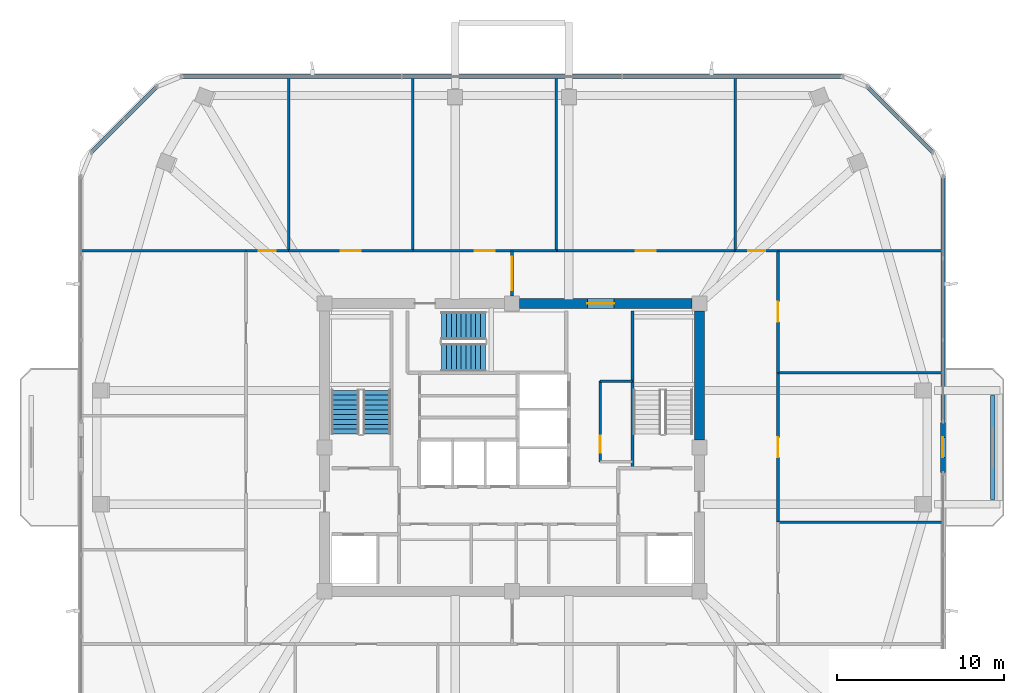
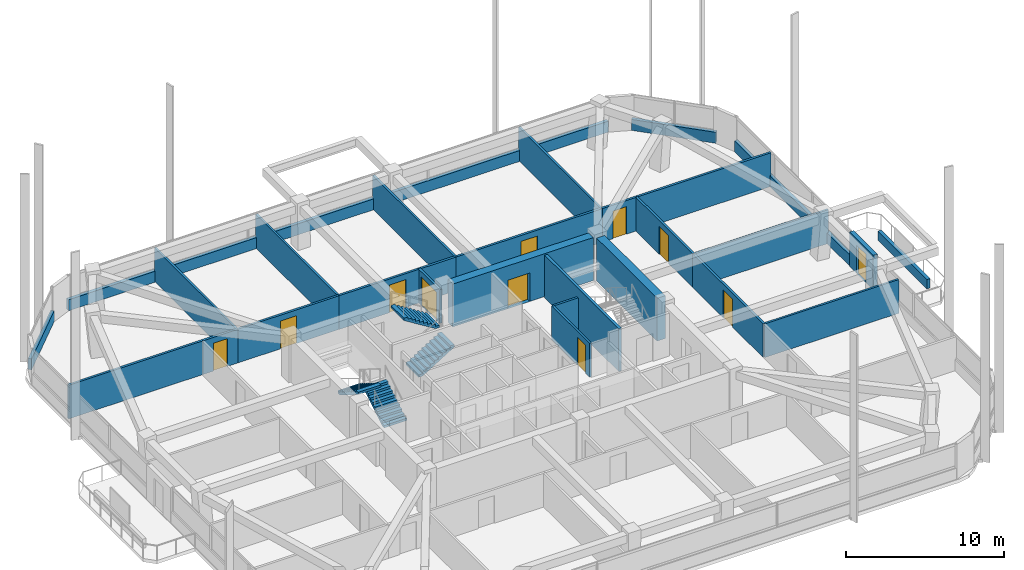
# One storey, part 12 of 17: 27 walls, 11 doors, 4 stair flights, 11 openings, 2 elements without a shape of their own.
"""IFC4 building model written with IfcOpenShell, lengths in metres."""

from ifc_helpers import new_model, si_unit, derived_unit, direction, frame, frame_2d, origin, place, context, subcontext, project, spatial, polyline, rectangle, outline, extrude, material, layer, layer_set, type_object, element, fill, aggregate, save


model = new_model("IFC4")

# Units and contexts
model_context = context("Model", 3, precision=1e-05, world=origin(), true_north=direction((0.0, 1.0)))
body_context = subcontext(model_context, "Body", "Model", "MODEL_VIEW")
ifc_project = project(units=[si_unit("LENGTHUNIT", "METRE"), si_unit("AREAUNIT", "SQUARE_METRE"), si_unit("VOLUMEUNIT", "CUBIC_METRE"), si_unit("PLANEANGLEUNIT", "RADIAN"), si_unit("MASSUNIT", "GRAM", prefix="KILO"), derived_unit("THERMALTRANSMITTANCEUNIT", [(si_unit("POWERUNIT", "WATT"), 1), (si_unit("LENGTHUNIT", "METRE"), -2), (si_unit("THERMODYNAMICTEMPERATUREUNIT", "KELVIN"), -1)])], contexts=[model_context])

# Site, building, storey
site_placement = place(None, origin())
site = spatial("IfcSite", under=ifc_project, at=site_placement, CompositionType="ELEMENT")
building_placement = place(site_placement, origin())
building = spatial("IfcBuilding", under=site, at=building_placement, Name="Koralith Skygarden Medical Center", CompositionType="ELEMENT")
storey_placement = place(building_placement, frame((0.0, 0.0, 207.179931640625)))
storey = spatial("IfcBuildingStorey", under=building, at=storey_placement, Name="L53", CompositionType="ELEMENT", Elevation=207.179931640625)

# Wall, opening, door
ifc_material_1 = material(Name="Gypsum Board Partition")
ifc_layer_1 = layer(ifc_material_1, 0.14990234375)
ifc_layer_set_1 = layer_set([ifc_layer_1], Name="Gypsum Board Partition")
wall_type_1 = type_object("IfcWallType", Name="Clinical Acoustic Partition 150", PredefinedType="PARTITIONING", material=ifc_layer_set_1)
wall_1_placement = place(storey_placement, frame((42.27001953125, 25.0400390625, 0.0), z_axis=(0.0, 0.0, 1.0), x_axis=(0.0, 1.0, 0.0)))
wall_1 = element("IfcWall", 1, at=wall_1_placement, inside=storey, type_object=wall_type_1, Name="L53 Clinical Acoustic Partition 150 W-CORE-L53-ESUB-W", PredefinedType="PARTITIONING", context=body_context, shape_type="SweptSolid", body=[
    extrude(rectangle(XDim=4.820068359375, YDim=0.14990234375, at=frame_2d((2.41015625, 0.0))), origin(), (0.0, 0.0, 1.0), 2.610107421875),
])
opening_1_placement = place(wall_1_placement, frame((0.550048828125, 0.0, 0.0)))
opening_1 = element("IfcOpeningElement", 2, at=opening_1_placement, cuts=wall_1, Name="Opening D-SUP", PredefinedType="OPENING", context=body_context, shape_type="SweptSolid", body=[
    extrude(rectangle(XDim=1.0, YDim=2.14990234375, at=frame_2d((0.5, 1.074951171875))), frame((0.0, 0.0849609375, 0.0), z_axis=(0.0, -1.0, 0.0), x_axis=(1.0, 0.0, 0.0)), (0.0, 0.0, 1.0), 0.169921875),
])
ifc_material_2 = material(Name="Aluminium 6063-T6", Category="aluminium")
door_type_1 = type_object("IfcDoorType", Name="Clinical Support Door D-SUP 1000", OperationType="NOTDEFINED", PredefinedType="DOOR", material=ifc_material_2)
door_1_placement = place(opening_1_placement, origin())
door_1 = element("IfcDoor", 3, at=door_1_placement, inside=storey, type_object=door_type_1, Name="L53 Core Equipment Store Door", OperationType="SINGLE_SWING_LEFT", OverallHeight=2.14990234375, OverallWidth=1.0, PredefinedType="DOOR", context=body_context, shape_type="SweptSolid", body=[
    extrude(rectangle(XDim=1.0, YDim=2.14990234375, at=frame_2d((0.5, 1.074951171875))), frame((0.0, 0.02490234375, 0.0), z_axis=(0.0, -1.0, 0.0), x_axis=(1.0, 0.0, 0.0)), (0.0, 0.0, 1.0), 0.050048828125),
])
fill(opening_1, door_1)

# Walls
wall_2_placement = place(storey_placement, frame((42.27001953125, 29.860107421875, 0.0), z_axis=(0.0, 0.0, 1.0), x_axis=(1.0, 0.0, 0.0)))
element("IfcWall", 4, at=wall_2_placement, inside=storey, type_object=wall_type_1, Name="L53 Clinical Acoustic Partition 150 W-CORE-L53-ESUB-N", PredefinedType="PARTITIONING", context=body_context, shape_type="SweptSolid", body=[
    extrude(rectangle(XDim=1.929931640625, YDim=0.14990234375, at=frame_2d((0.96484375, 0.0))), origin(), (0.0, 0.0, 1.0), 2.610107421875),
])
for number, where, z_axis, x_axis, name in (
    (5, (23.64990234375, 37.64990234375, 0.0), (0.0, 0.0, 1.0), (0.0, 1.0, 0.0), "L53 Clinical Acoustic Partition 150 W-PART-L53-N-01"),
    (6, (31.069091796875, 37.64990234375, 0.0), (0.0, 0.0, 1.0), (0.0, 1.0, 0.0), "L53 Clinical Acoustic Partition 150 W-PART-L53-N-02"),
    (7, (39.64892578125, 37.64990234375, 0.0), (0.0, 0.0, 1.0), (0.0, 1.0, 0.0), "L53 Clinical Acoustic Partition 150 W-PART-L53-N-03"),
    (8, (50.35009765625, 37.64990234375, 0.0), (0.0, 0.0, 1.0), (0.0, 1.0, 0.0), "L53 Clinical Acoustic Partition 150 W-PART-L53-N-04"),
):
    element("IfcWall", number, at=place(storey_placement, frame(where, z_axis=z_axis, x_axis=x_axis)), inside=storey, type_object=wall_type_1, Name=name, PredefinedType="PARTITIONING", context=body_context, shape_type="SweptSolid", body=[
        extrude(rectangle(XDim=10.38720703125, YDim=0.14990234375, at=frame_2d((5.193603515625, 0.0))), origin(), (0.0, 0.0, 1.0), 2.610107421875),
    ])
for number, where, z_axis, x_axis, name in (
    (9, (52.89990234375, 21.43505859375, 0.0), (0.0, 0.0, 1.0), (1.0, 0.0, 0.0), "L53 Clinical Acoustic Partition 150 W-PART-L53-E-01"),
    (10, (52.89990234375, 30.364990234375, 0.0), (0.0, 0.0, 1.0), (1.0, 0.0, 0.0), "L53 Clinical Acoustic Partition 150 W-PART-L53-E-02"),
):
    element("IfcWall", number, at=place(storey_placement, frame(where, z_axis=z_axis, x_axis=x_axis)), inside=storey, type_object=wall_type_1, Name=name, PredefinedType="PARTITIONING", context=body_context, shape_type="SweptSolid", body=[
        extrude(rectangle(XDim=9.8330078125, YDim=0.14990234375, at=frame_2d((4.91650390625, 0.0))), origin(), (0.0, 0.0, 1.0), 2.610107421875),
    ])
ifc_layer_2 = layer(ifc_material_1, 0.1650390625)
ifc_layer_set_2 = layer_set([ifc_layer_2], Name="Gypsum Board Partition")
wall_type_2 = type_object("IfcWallType", Name="Clinical Corridor Partition 165", PredefinedType="PARTITIONING", material=ifc_layer_set_2)
for number, where, z_axis, x_axis, name in (
    (11, (11.26708984375, 37.64990234375, 0.0), (0.0, 0.0, 1.0), (1.0, 0.0, 0.0), "L53 Clinical Corridor Partition 165 W-WB-L53-NW"),
    (12, (52.89990234375, 37.64990234375, 0.0), (0.0, 0.0, 1.0), (1.0, 0.0, 0.0), "L53 Clinical Corridor Partition 165 W-WB-L53-NE"),
):
    element("IfcWall", number, at=place(storey_placement, frame(where, z_axis=z_axis, x_axis=x_axis)), inside=storey, type_object=wall_type_2, Name=name, PredefinedType="PARTITIONING", context=body_context, shape_type="SweptSolid", body=[
        extrude(rectangle(XDim=9.8330078125, YDim=0.1650390625, at=frame_2d((4.91650390625, 0.0))), origin(), (0.0, 0.0, 1.0), 2.610107421875),
    ])

# Wall, opening, door
wall_3_placement = place(storey_placement, frame((21.10009765625, 37.64990234375, 0.0), z_axis=(0.0, 0.0, 1.0), x_axis=(1.0, 0.0, 0.0)))
wall_3 = element("IfcWall", 13, at=wall_3_placement, inside=storey, type_object=wall_type_2, Name="L53 Clinical Corridor Partition 165 W-CORR-L53-N-01", PredefinedType="PARTITIONING", context=body_context, shape_type="SweptSolid", body=[
    extrude(rectangle(XDim=2.5498046875, YDim=0.1650390625, at=frame_2d((1.27490234375, 0.0))), origin(), (0.0, 0.0, 1.0), 2.610107421875),
])
opening_2_placement = place(wall_3_placement, frame((0.77490234375, 0.0, 0.0)))
opening_2 = element("IfcOpeningElement", 14, at=opening_2_placement, cuts=wall_3, Name="Opening D-SUP", PredefinedType="OPENING", context=body_context, shape_type="SweptSolid", body=[
    extrude(rectangle(XDim=1.0, YDim=2.14990234375, at=frame_2d((0.5, 1.074951171875))), frame((0.0, 0.092529296875, 0.0), z_axis=(0.0, -1.0, 0.0), x_axis=(1.0, 0.0, 0.0)), (0.0, 0.0, 1.0), 0.18505859375),
])
door_2_placement = place(opening_2_placement, origin())
door_2 = element("IfcDoor", 15, at=door_2_placement, inside=storey, type_object=door_type_1, Name="L53 Pharmacy Bulk IV Supply Store 01 Door", OperationType="SINGLE_SWING_RIGHT", OverallHeight=2.14990234375, OverallWidth=1.0, PredefinedType="DOOR", context=body_context, shape_type="SweptSolid", body=[
    extrude(rectangle(XDim=1.0, YDim=2.14990234375, at=frame_2d((0.5, 1.074951171875))), frame((0.0, 0.02490234375, 0.0), z_axis=(0.0, -1.0, 0.0), x_axis=(1.0, 0.0, 0.0)), (0.0, 0.0, 1.0), 0.050048828125),
])
fill(opening_2, door_2)

wall_4_placement = place(storey_placement, frame((23.64990234375, 37.64990234375, 0.0), z_axis=(0.0, 0.0, 1.0), x_axis=(1.0, 0.0, 0.0)))
wall_4 = element("IfcWall", 16, at=wall_4_placement, inside=storey, type_object=wall_type_2, Name="L53 Clinical Corridor Partition 165 W-CORR-L53-N-02", PredefinedType="PARTITIONING", context=body_context, shape_type="SweptSolid", body=[
    extrude(rectangle(XDim=7.419189453125, YDim=0.1650390625, at=frame_2d((3.70947265625, 0.0))), origin(), (0.0, 0.0, 1.0), 2.610107421875),
])
opening_3_placement = place(wall_4_placement, frame((3.110107421875, 0.0, 0.0)))
opening_3 = element("IfcOpeningElement", 17, at=opening_3_placement, cuts=wall_4, Name="Opening D-CLN", PredefinedType="OPENING", context=body_context, shape_type="SweptSolid", body=[
    extrude(rectangle(XDim=1.199951171875, YDim=2.14990234375, at=frame_2d((0.60009765625, 1.074951171875))), frame((0.0, 0.092529296875, 0.0), z_axis=(0.0, -1.0, 0.0), x_axis=(1.0, 0.0, 0.0)), (0.0, 0.0, 1.0), 0.18505859375),
])
door_type_2 = type_object("IfcDoorType", Name="Clinical Corridor Door D-CLN 1200", OperationType="NOTDEFINED", PredefinedType="DOOR", material=ifc_material_2)
door_3_placement = place(opening_3_placement, origin())
door_3 = element("IfcDoor", 18, at=door_3_placement, inside=storey, type_object=door_type_2, Name="L53 Sterile Catheter Supply Store 02 Door", OperationType="SINGLE_SWING_LEFT", OverallHeight=2.14990234375, OverallWidth=1.199951171875, PredefinedType="DOOR", context=body_context, shape_type="SweptSolid", body=[
    extrude(rectangle(XDim=1.199951171875, YDim=2.14990234375, at=frame_2d((0.60009765625, 1.074951171875))), frame((0.0, 0.02490234375, 0.0), z_axis=(0.0, -1.0, 0.0), x_axis=(1.0, 0.0, 0.0)), (0.0, 0.0, 1.0), 0.050048828125),
])
fill(opening_3, door_3)

wall_5_placement = place(storey_placement, frame((31.069091796875, 37.64990234375, 0.0), z_axis=(0.0, 0.0, 1.0), x_axis=(1.0, 0.0, 0.0)))
wall_5 = element("IfcWall", 19, at=wall_5_placement, inside=storey, type_object=wall_type_2, Name="L53 Clinical Corridor Partition 165 W-CORR-L53-N-03", PredefinedType="PARTITIONING", context=body_context, shape_type="SweptSolid", body=[
    extrude(rectangle(XDim=8.579833984375, YDim=0.1650390625, at=frame_2d((4.2900390625, 0.0))), origin(), (0.0, 0.0, 1.0), 2.610107421875),
])
opening_4_placement = place(wall_5_placement, frame((3.68994140625, 0.0, 0.0)))
opening_4 = element("IfcOpeningElement", 20, at=opening_4_placement, cuts=wall_5, Name="Opening D-CLN", PredefinedType="OPENING", context=body_context, shape_type="SweptSolid", body=[
    extrude(rectangle(XDim=1.199951171875, YDim=2.14990234375, at=frame_2d((0.60009765625, 1.074951171875))), frame((0.0, 0.092529296875, 0.0), z_axis=(0.0, -1.0, 0.0), x_axis=(1.0, 0.0, 0.0)), (0.0, 0.0, 1.0), 0.18505859375),
])
door_4_placement = place(opening_4_placement, origin())
door_4 = element("IfcDoor", 21, at=door_4_placement, inside=storey, type_object=door_type_2, Name="L53 Clinical Trials Huddle Room 03 Door", OperationType="SINGLE_SWING_RIGHT", OverallHeight=2.14990234375, OverallWidth=1.199951171875, PredefinedType="DOOR", context=body_context, shape_type="SweptSolid", body=[
    extrude(rectangle(XDim=1.199951171875, YDim=2.14990234375, at=frame_2d((0.60009765625, 1.074951171875))), frame((0.0, 0.02490234375, 0.0), z_axis=(0.0, -1.0, 0.0), x_axis=(1.0, 0.0, 0.0)), (0.0, 0.0, 1.0), 0.050048828125),
])
fill(opening_4, door_4)

wall_6_placement = place(storey_placement, frame((39.64892578125, 37.64990234375, 0.0), z_axis=(0.0, 0.0, 1.0), x_axis=(1.0, 0.0, 0.0)))
wall_6 = element("IfcWall", 22, at=wall_6_placement, inside=storey, type_object=wall_type_2, Name="L53 Clinical Corridor Partition 165 W-CORR-L53-N-04", PredefinedType="PARTITIONING", context=body_context, shape_type="SweptSolid", body=[
    extrude(rectangle(XDim=10.701171875, YDim=0.1650390625, at=frame_2d((5.3505859375, 0.0))), origin(), (0.0, 0.0, 1.0), 2.610107421875),
])
opening_5_placement = place(wall_6_placement, frame((4.7509765625, 0.0, 0.0)))
opening_5 = element("IfcOpeningElement", 23, at=opening_5_placement, cuts=wall_6, Name="Opening D-CLN", PredefinedType="OPENING", context=body_context, shape_type="SweptSolid", body=[
    extrude(rectangle(XDim=1.199951171875, YDim=2.14990234375, at=frame_2d((0.60009765625, 1.074951171875))), frame((0.0, 0.092529296875, 0.0), z_axis=(0.0, -1.0, 0.0), x_axis=(1.0, 0.0, 0.0)), (0.0, 0.0, 1.0), 0.18505859375),
])
door_5_placement = place(opening_5_placement, origin())
door_5 = element("IfcDoor", 24, at=door_5_placement, inside=storey, type_object=door_type_2, Name="L53 Clinical Consultation Office 04 Door", OperationType="SINGLE_SWING_LEFT", OverallHeight=2.14990234375, OverallWidth=1.199951171875, PredefinedType="DOOR", context=body_context, shape_type="SweptSolid", body=[
    extrude(rectangle(XDim=1.199951171875, YDim=2.14990234375, at=frame_2d((0.60009765625, 1.074951171875))), frame((0.0, 0.02490234375, 0.0), z_axis=(0.0, -1.0, 0.0), x_axis=(1.0, 0.0, 0.0)), (0.0, 0.0, 1.0), 0.050048828125),
])
fill(opening_5, door_5)

wall_7_placement = place(storey_placement, frame((50.35009765625, 37.64990234375, 0.0), z_axis=(0.0, 0.0, 1.0), x_axis=(1.0, 0.0, 0.0)))
wall_7 = element("IfcWall", 25, at=wall_7_placement, inside=storey, type_object=wall_type_2, Name="L53 Clinical Corridor Partition 165 W-CORR-L53-N-05", PredefinedType="PARTITIONING", context=body_context, shape_type="SweptSolid", body=[
    extrude(rectangle(XDim=2.5498046875, YDim=0.1650390625, at=frame_2d((1.27490234375, 0.0))), origin(), (0.0, 0.0, 1.0), 2.610107421875),
])
opening_6_placement = place(wall_7_placement, frame((0.77490234375, 0.0, 0.0)))
opening_6 = element("IfcOpeningElement", 26, at=opening_6_placement, cuts=wall_7, Name="Opening D-SUP", PredefinedType="OPENING", context=body_context, shape_type="SweptSolid", body=[
    extrude(rectangle(XDim=1.0, YDim=2.14990234375, at=frame_2d((0.5, 1.074951171875))), frame((0.0, 0.092529296875, 0.0), z_axis=(0.0, -1.0, 0.0), x_axis=(1.0, 0.0, 0.0)), (0.0, 0.0, 1.0), 0.18505859375),
])
door_6_placement = place(opening_6_placement, origin())
door_6 = element("IfcDoor", 27, at=door_6_placement, inside=storey, type_object=door_type_1, Name="L53 Pharmacy Bulk IV Supply Store 05 Door", OperationType="SINGLE_SWING_RIGHT", OverallHeight=2.14990234375, OverallWidth=1.0, PredefinedType="DOOR", context=body_context, shape_type="SweptSolid", body=[
    extrude(rectangle(XDim=1.0, YDim=2.14990234375, at=frame_2d((0.5, 1.074951171875))), frame((0.0, 0.02490234375, 0.0), z_axis=(0.0, -1.0, 0.0), x_axis=(1.0, 0.0, 0.0)), (0.0, 0.0, 1.0), 0.050048828125),
])
fill(opening_6, door_6)

wall_8_placement = place(storey_placement, frame((52.89990234375, 21.43505859375, 0.0), z_axis=(0.0, 0.0, 1.0), x_axis=(0.0, 1.0, 0.0)))
wall_8 = element("IfcWall", 28, at=wall_8_placement, inside=storey, type_object=wall_type_2, Name="L53 Clinical Corridor Partition 165 W-CORR-L53-E-02", PredefinedType="PARTITIONING", context=body_context, shape_type="SweptSolid", body=[
    extrude(rectangle(XDim=8.929931640625, YDim=0.1650390625, at=frame_2d((4.46484375, 0.0))), origin(), (0.0, 0.0, 1.0), 2.610107421875),
])
opening_7_placement = place(wall_8_placement, frame((3.864990234375, 0.0, 0.0)))
opening_7 = element("IfcOpeningElement", 29, at=opening_7_placement, cuts=wall_8, Name="Opening D-CLN", PredefinedType="OPENING", context=body_context, shape_type="SweptSolid", body=[
    extrude(rectangle(XDim=1.199951171875, YDim=2.14990234375, at=frame_2d((0.60009765625, 1.074951171875))), frame((0.0, 0.092529296875, 0.0), z_axis=(0.0, -1.0, 0.0), x_axis=(1.0, 0.0, 0.0)), (0.0, 0.0, 1.0), 0.18505859375),
])
door_7_placement = place(opening_7_placement, origin())
door_7 = element("IfcDoor", 30, at=door_7_placement, inside=storey, type_object=door_type_2, Name="L53 Patient and Family Sky-Garden Day Lounge 15 Door", OperationType="SINGLE_SWING_RIGHT", OverallHeight=2.14990234375, OverallWidth=1.199951171875, PredefinedType="DOOR", context=body_context, shape_type="SweptSolid", body=[
    extrude(rectangle(XDim=1.199951171875, YDim=2.14990234375, at=frame_2d((0.60009765625, 1.074951171875))), frame((0.0, 0.02490234375, 0.0), z_axis=(0.0, -1.0, 0.0), x_axis=(1.0, 0.0, 0.0)), (0.0, 0.0, 1.0), 0.050048828125),
])
fill(opening_7, door_7)

wall_9_placement = place(storey_placement, frame((52.89990234375, 30.364990234375, 0.0), z_axis=(0.0, 0.0, 1.0), x_axis=(0.0, 1.0, 0.0)))
wall_9 = element("IfcWall", 31, at=wall_9_placement, inside=storey, type_object=wall_type_2, Name="L53 Clinical Corridor Partition 165 W-CORR-L53-E-03", PredefinedType="PARTITIONING", context=body_context, shape_type="SweptSolid", body=[
    extrude(rectangle(XDim=7.284912109375, YDim=0.1650390625, at=frame_2d((3.642578125, 0.0))), origin(), (0.0, 0.0, 1.0), 2.610107421875),
])
opening_8_placement = place(wall_9_placement, frame((3.0419921875, 0.0, 0.0)))
opening_8 = element("IfcOpeningElement", 32, at=opening_8_placement, cuts=wall_9, Name="Opening D-CLN", PredefinedType="OPENING", context=body_context, shape_type="SweptSolid", body=[
    extrude(rectangle(XDim=1.199951171875, YDim=2.14990234375, at=frame_2d((0.60009765625, 1.074951171875))), frame((0.0, 0.092529296875, 0.0), z_axis=(0.0, -1.0, 0.0), x_axis=(1.0, 0.0, 0.0)), (0.0, 0.0, 1.0), 0.18505859375),
])
door_8_placement = place(opening_8_placement, origin())
door_8 = element("IfcDoor", 33, at=door_8_placement, inside=storey, type_object=door_type_2, Name="L53 Sterile Catheter Supply Store 16 Door", OperationType="SINGLE_SWING_LEFT", OverallHeight=2.14990234375, OverallWidth=1.199951171875, PredefinedType="DOOR", context=body_context, shape_type="SweptSolid", body=[
    extrude(rectangle(XDim=1.199951171875, YDim=2.14990234375, at=frame_2d((0.60009765625, 1.074951171875))), frame((0.0, 0.02490234375, 0.0), z_axis=(0.0, -1.0, 0.0), x_axis=(1.0, 0.0, 0.0)), (0.0, 0.0, 1.0), 0.050048828125),
])
fill(opening_8, door_8)

ifc_layer_3 = layer(ifc_material_1, 0.179931640625)
ifc_layer_set_3 = layer_set([ifc_layer_3], Name="Gypsum Board Partition")
wall_type_3 = type_object("IfcWallType", Name="Group I-2 Smoke Barrier Wall 180", PredefinedType="PARTITIONING", material=ifc_layer_set_3)
wall_10_placement = place(storey_placement, frame((37.0, 34.949951171875, 0.0), z_axis=(0.0, 0.0, 1.0), x_axis=(0.0, 1.0, 0.0)))
wall_10 = element("IfcWall", 34, at=wall_10_placement, inside=storey, type_object=wall_type_3, Name="L53 Group I-2 Smoke Barrier Wall 180 W-SMK-L53-N", PredefinedType="PARTITIONING", context=body_context, shape_type="SweptSolid", body=[
    extrude(rectangle(XDim=2.699951171875, YDim=0.179931640625, at=frame_2d((1.35009765625, 0.0))), origin(), (0.0, 0.0, 1.0), 2.610107421875),
])
opening_9_placement = place(wall_10_placement, frame((0.35009765625, 0.0, 0.0)))
opening_9 = element("IfcOpeningElement", 35, at=opening_9_placement, cuts=wall_10, Name="Opening D-SMK", PredefinedType="OPENING", context=body_context, shape_type="SweptSolid", body=[
    extrude(rectangle(XDim=2.0, YDim=2.199951171875, at=frame_2d((1.0, 1.10009765625))), frame((0.0, 0.099853515625, 0.0), z_axis=(0.0, -1.0, 0.0), x_axis=(1.0, 0.0, 0.0)), (0.0, 0.0, 1.0), 0.199951171875),
])
ifc_material_3 = material(Name="Steel ASTM A500 Grade C", Category="steel")
door_type_3 = type_object("IfcDoorType", Name="Cross-Corridor Double Smoke Door FD60S 2000", OperationType="NOTDEFINED", PredefinedType="DOOR", material=ifc_material_3)
door_9_placement = place(opening_9_placement, origin())
door_9 = element("IfcDoor", 36, at=door_9_placement, inside=storey, type_object=door_type_3, Name="L53 N Smoke Compartment Cross-Corridor Door", OperationType="DOUBLE_DOOR_SINGLE_SWING", OverallHeight=2.199951171875, OverallWidth=2.0, PredefinedType="DOOR", context=body_context, shape_type="SweptSolid", body=[
    extrude(rectangle(XDim=2.0, YDim=2.199951171875, at=frame_2d((1.0, 1.10009765625))), frame((0.0, 0.02490234375, 0.0), z_axis=(0.0, -1.0, 0.0), x_axis=(1.0, 0.0, 0.0)), (0.0, 0.0, 1.0), 0.050048828125),
])
fill(opening_9, door_9)

# Walls
ifc_material_4 = material(Name="Warm Oolitic Limestone Cladding", Category="masonry")
ifc_layer_4 = layer(ifc_material_4, 0.239990234375)
ifc_layer_set_4 = layer_set([ifc_layer_4], Name="Warm Oolitic Limestone Cladding")
wall_type_4 = type_object("IfcWallType", Name="Limestone Spandrel Sill Backup Wall 240", PredefinedType="SOLIDWALL", material=ifc_layer_set_4)
wall_11_placement = place(storey_placement, frame((62.751953125, 27.43896484375, 0.0), z_axis=(0.0, 0.0, 1.0), x_axis=(0.0, 1.0, 0.0)))
element("IfcWall", 37, at=wall_11_placement, inside=storey, type_object=wall_type_4, Name="L53 Sill Spandrel E-R", PredefinedType="SOLIDWALL", context=body_context, shape_type="SweptSolid", body=[
    extrude(rectangle(XDim=14.64306640625, YDim=0.239990234375, at=frame_2d((7.321533203125, 0.0))), origin(), (0.0, 0.0, 1.0), 0.85009765625),
])
wall_12_placement = place(storey_placement, frame((62.15087890625, 43.532958984375, 0.0), z_axis=(0.0, 0.0, 1.0), x_axis=(-0.707084777957, 0.707128783731, 0.0)))
element("IfcWall", 38, at=wall_12_placement, inside=storey, type_object=wall_type_4, Name="L53 Sill Spandrel NE", PredefinedType="SOLIDWALL", context=body_context, shape_type="SweptSolid", body=[
    extrude(rectangle(XDim=5.5478515625, YDim=0.239990234375, at=frame_2d((2.77392578125, 0.0))), origin(), (0.0, 0.0, 1.0), 0.85009765625),
])
wall_13_placement = place(storey_placement, frame((56.777099609375, 48.056884765625, 0.0), z_axis=(0.0, 0.0, 1.0), x_axis=(-1.0, 0.0, 0.0)))
element("IfcWall", 39, at=wall_13_placement, inside=storey, type_object=wall_type_4, Name="L53 Sill Spandrel N", PredefinedType="SOLIDWALL", context=body_context, shape_type="SweptSolid", body=[
    extrude(rectangle(XDim=39.55419921875, YDim=0.239990234375, at=frame_2d((19.777099609375, 0.0))), origin(), (0.0, 0.0, 1.0), 0.85009765625),
])
wall_14_placement = place(storey_placement, frame((15.77197265625, 47.4560546875, 0.0), z_axis=(0.0, 0.0, 1.0), x_axis=(-0.707084777957, -0.707128783731, 0.0)))
element("IfcWall", 40, at=wall_14_placement, inside=storey, type_object=wall_type_4, Name="L53 Sill Spandrel NW", PredefinedType="SOLIDWALL", context=body_context, shape_type="SweptSolid", body=[
    extrude(rectangle(XDim=5.5478515625, YDim=0.239990234375, at=frame_2d((2.77392578125, 0.0))), origin(), (0.0, 0.0, 1.0), 0.85009765625),
])

# Wall, opening, door
ifc_layer_5 = layer(ifc_material_4, 0.300048828125)
ifc_layer_set_5 = layer_set([ifc_layer_5], Name="Warm Oolitic Limestone Cladding")
wall_type_5 = type_object("IfcWallType", Name="Oolitic Limestone Insulated Facade Wall 300", PredefinedType="SOLIDWALL", material=ifc_layer_set_5)
wall_15_placement = place(storey_placement, frame((62.751953125, 24.39892578125, 0.0), z_axis=(0.0, 0.0, 1.0), x_axis=(0.0, 1.0, 0.0)))
wall_15 = element("IfcWall", 41, at=wall_15_placement, inside=storey, type_object=wall_type_5, Name="L53 Terrace Portal Wall E", PredefinedType="SOLIDWALL", context=body_context, shape_type="SweptSolid", body=[
    extrude(rectangle(XDim=3.0, YDim=0.300048828125, at=frame_2d((1.5, 0.0))), origin(), (0.0, 0.0, 1.0), 2.690185546875),
])
opening_10_placement = place(wall_15_placement, frame((0.89990234375, 0.0, 0.0)))
opening_10 = element("IfcOpeningElement", 42, at=opening_10_placement, cuts=wall_15, Name="Opening D-BAL", PredefinedType="OPENING", context=body_context, shape_type="SweptSolid", body=[
    extrude(rectangle(XDim=1.199951171875, YDim=2.199951171875, at=frame_2d((0.60009765625, 1.10009765625))), frame((0.0, 0.159912109375, 0.0), z_axis=(0.0, -1.0, 0.0), x_axis=(1.0, 0.0, 0.0)), (0.0, 0.0, 1.0), 0.320068359375),
])
door_type_4 = type_object("IfcDoorType", Name="Planted Balcony Glazed Terrace Door D-BAL 1200", OperationType="NOTDEFINED", PredefinedType="DOOR", material=ifc_material_2)
door_10_placement = place(opening_10_placement, origin())
door_10 = element("IfcDoor", 43, at=door_10_placement, inside=storey, type_object=door_type_4, Name="L53 E Outdoor Terrace Access Door", OperationType="SINGLE_SWING_RIGHT", OverallHeight=2.199951171875, OverallWidth=1.199951171875, PredefinedType="DOOR", context=body_context, shape_type="SweptSolid", body=[
    extrude(rectangle(XDim=1.199951171875, YDim=2.199951171875, at=frame_2d((0.60009765625, 1.10009765625))), frame((0.0, 0.02490234375, 0.0), z_axis=(0.0, -1.0, 0.0), x_axis=(1.0, 0.0, 0.0)), (0.0, 0.0, 1.0), 0.050048828125),
])
fill(opening_10, door_10)

# Walls
ifc_material_5 = material(Name="Precast concrete C40/50", Category="concrete")
ifc_layer_6 = layer(ifc_material_5, 0.25)
ifc_layer_set_6 = layer_set([ifc_layer_6], Name="Precast concrete C40/50")
wall_type_6 = type_object("IfcWallType", Name="Structural Concrete Balcony Planter Kerb 250", PredefinedType="PARAPET", material=ifc_layer_set_6)
wall_16_placement = place(storey_placement, frame((65.73291015625, 22.800048828125, 0.0), z_axis=(0.0, 0.0, 1.0), x_axis=(0.0, 1.0, 0.0)))
element("IfcWall", 44, at=wall_16_placement, inside=storey, type_object=wall_type_6, Name="L53 E Structural Tree PLANTER Box", PredefinedType="PARAPET", context=body_context, shape_type="SweptSolid", body=[
    extrude(rectangle(XDim=6.199951171875, YDim=0.25, at=frame_2d((3.10009765625, 0.0))), origin(), (0.0, 0.0, 1.0), 0.719970703125),
])
ifc_material_6 = material(Name="Concrete C45/55", Category="concrete")
ifc_layer_7 = layer(ifc_material_6, 0.199951171875)
ifc_layer_set_7 = layer_set([ifc_layer_7], Name="Concrete C45/55")
wall_type_7 = type_object("IfcWallType", Name="Structural Stair Shaft Wall 200", PredefinedType="SHEAR", material=ifc_layer_set_7)
wall_17_placement = place(storey_placement, frame((44.199951171875, 24.64990234375, 0.0), z_axis=(0.0, 0.0, 1.0), x_axis=(0.0, 1.0, 0.0)))
element("IfcWall", 45, at=wall_17_placement, inside=storey, type_object=wall_type_7, Name="L53 Structural Stair Shaft Wall 200 W-CORE-L53-ST2-W", PredefinedType="SHEAR", context=body_context, shape_type="SweptSolid", body=[
    extrude(rectangle(XDim=9.400146484375, YDim=0.199951171875, at=frame_2d((4.7001953125, 0.0))), origin(), (0.0, 0.0, 1.0), 3.320068359375),
])
ifc_material_7 = material(Name="Concrete C55/67", Category="concrete")
ifc_layer_8 = layer(ifc_material_7, 0.60009765625)
ifc_layer_set_8 = layer_set([ifc_layer_8], Name="Concrete C55/67")
wall_type_8 = type_object("IfcWallType", Name="Upper Core Shear Wall 600", PredefinedType="SHEAR", material=ifc_layer_set_8)
wall_18_placement = place(storey_placement, frame((48.199951171875, 26.344970703125, 0.0), z_axis=(0.0, 0.0, 1.0), x_axis=(0.0, 1.0, 0.0)))
element("IfcWall", 46, at=wall_18_placement, inside=storey, type_object=wall_type_8, Name="L53 Core Shear Wall Segment 4", PredefinedType="SHEAR", context=body_context, shape_type="SweptSolid", body=[
    extrude(rectangle(XDim=7.7099609375, YDim=0.60009765625, at=frame_2d((3.85498046875, 0.0))), origin(), (0.0, 0.0, 1.0), 3.320068359375),
])

# Wall, opening, door
wall_19_placement = place(storey_placement, frame((47.7548828125, 34.5, 0.0), z_axis=(0.0, 0.0, 1.0), x_axis=(-1.0, 0.0, 0.0)))
wall_19 = element("IfcWall", 47, at=wall_19_placement, inside=storey, type_object=wall_type_8, Name="L53 Core Shear Wall Segment 5", PredefinedType="SHEAR", context=body_context, shape_type="SweptSolid", body=[
    extrude(rectangle(XDim=10.309814453125, YDim=0.60009765625, at=frame_2d((5.15478515625, 0.0))), origin(), (0.0, 0.0, 1.0), 3.320068359375),
])
opening_11_placement = place(wall_19_placement, frame((4.655029296875, 0.0, 0.0)))
opening_11 = element("IfcOpeningElement", 48, at=opening_11_placement, cuts=wall_19, Name="Opening D-DBL", PredefinedType="OPENING", context=body_context, shape_type="SweptSolid", body=[
    extrude(rectangle(XDim=1.60009765625, YDim=2.199951171875, at=frame_2d((0.800048828125, 1.10009765625))), frame((0.0, 0.31005859375, 0.0), z_axis=(0.0, -1.0, 0.0), x_axis=(1.0, 0.0, 0.0)), (0.0, 0.0, 1.0), 0.6201171875),
])
door_type_5 = type_object("IfcDoorType", Name="Double Clinical Suite Door D-DBL 1600", OperationType="NOTDEFINED", PredefinedType="DOOR", material=ifc_material_2)
door_11_placement = place(opening_11_placement, frame((1.60009765625, 0.0, 0.0), z_axis=(0.0, 0.0, 1.0), x_axis=(-1.0, 0.0, 0.0)))
door_11 = element("IfcDoor", 49, at=door_11_placement, inside=storey, type_object=door_type_5, Name="L53 North-East Corridor to Elevator Lobby Door", OperationType="DOUBLE_DOOR_SINGLE_SWING", OverallHeight=2.199951171875, OverallWidth=1.60009765625, PredefinedType="DOOR", context=body_context, shape_type="SweptSolid", body=[
    extrude(rectangle(XDim=1.60009765625, YDim=2.199951171875, at=frame_2d((0.800048828125, 1.10009765625))), frame((0.0, 0.02490234375, 0.0), z_axis=(0.0, -1.0, 0.0), x_axis=(1.0, 0.0, 0.0)), (0.0, 0.0, 1.0), 0.050048828125),
])
fill(opening_11, door_11)

# Stair, stair flights
stair_type = type_object("IfcStairType", Name="Core Exit Dogleg Concrete Stair", PredefinedType="HALF_TURN_STAIR", material=ifc_material_6)
stair_1_placement = place(storey_placement, origin())
stair_1 = element("IfcStair", 50, at=stair_1_placement, inside=storey, type_object=stair_type, Name="L53 Smokeproof Exit Stair ST1", PredefinedType="HALF_TURN_STAIR")
stair_flight_type = type_object("IfcStairFlightType", Name="Core Exit Concrete Stair Flight 1650", PredefinedType="STRAIGHT", material=ifc_material_6)
stair_flight_1_placement = place(storey_placement, frame((28.925048828125, 26.699951171875, 0.0), z_axis=(0.0, 0.0, 1.0), x_axis=(0.0, 1.0, 0.0)))
stair_flight_1 = element("IfcStairFlight", 51, at=stair_flight_1_placement, type_object=stair_flight_type, Name="ST1 flight 1", NumberOfRisers=10, NumberOfTreads=9, PredefinedType="STRAIGHT", RiserHeight=0.18, TreadLength=0.29, context=body_context, shape_type="SweptSolid", body=[
    extrude(outline(polyline([(0.0, 0.0), (0.0, 0.179931640625), (0.2900390625, 0.179931640625), (0.2900390625, 0.360107421875), (0.580078125, 0.360107421875), (0.580078125, 0.5400390625), (0.8701171875, 0.5400390625), (0.8701171875, 0.719970703125), (1.159912109375, 0.719970703125), (1.159912109375, 0.89990234375), (1.449951171875, 0.89990234375), (1.449951171875, 1.080078125), (1.739990234375, 1.080078125), (1.739990234375, 1.260009765625), (2.030029296875, 1.260009765625), (2.030029296875, 1.43994140625), (2.320068359375, 1.43994140625), (2.320068359375, 1.6201171875), (2.610107421875, 1.6201171875), (2.610107421875, 1.800048828125), (2.610107421875, 1.443603515625), (0.2841796875, 0.0), (0.0, 0.0)])), frame((0.0, 0.824951171875, 0.0), z_axis=(0.0, -1.0, 0.0), x_axis=(1.0, 0.0, 0.0)), (0.0, 0.0, 1.0), 1.64990234375),
])
stair_flight_2_placement = place(storey_placement, frame((27.02490234375, 29.31005859375, 1.800048828125), z_axis=(0.0, 0.0, 1.0), x_axis=(0.0, -1.0, 0.0)))
stair_flight_2 = element("IfcStairFlight", 52, at=stair_flight_2_placement, type_object=stair_flight_type, Name="ST1 flight 2", NumberOfRisers=10, NumberOfTreads=9, PredefinedType="STRAIGHT", RiserHeight=0.18, TreadLength=0.29, context=body_context, shape_type="SweptSolid", body=[
    extrude(outline(polyline([(0.0, 0.0), (0.0, 0.179931640625), (0.2900390625, 0.179931640625), (0.2900390625, 0.360107421875), (0.580078125, 0.360107421875), (0.580078125, 0.5400390625), (0.8701171875, 0.5400390625), (0.8701171875, 0.719970703125), (1.159912109375, 0.719970703125), (1.159912109375, 0.89990234375), (1.449951171875, 0.89990234375), (1.449951171875, 1.080078125), (1.739990234375, 1.080078125), (1.739990234375, 1.260009765625), (2.030029296875, 1.260009765625), (2.030029296875, 1.43994140625), (2.320068359375, 1.43994140625), (2.320068359375, 1.6201171875), (2.610107421875, 1.6201171875), (2.610107421875, 1.800048828125), (2.610107421875, 1.443603515625), (0.2841796875, 0.0), (0.0, 0.0)])), frame((0.0, 0.824951171875, 0.0), z_axis=(0.0, -1.0, 0.0), x_axis=(1.0, 0.0, 0.0)), (0.0, 0.0, 1.0), 1.64990234375),
])
aggregate(stair_1, [stair_flight_1, stair_flight_2])

stair_2_placement = place(storey_placement, origin())
stair_2 = element("IfcStair", 53, at=stair_2_placement, inside=storey, type_object=stair_type, Name="L53 Smokeproof Exit Stair ST3", PredefinedType="HALF_TURN_STAIR")
stair_flight_3_placement = place(storey_placement, frame((32.800048828125, 31.27490234375, 0.0), z_axis=(0.0, 0.0, 1.0), x_axis=(1.0, 0.0, 0.0)))
stair_flight_3 = element("IfcStairFlight", 54, at=stair_flight_3_placement, type_object=stair_flight_type, Name="ST3 flight 1", NumberOfRisers=10, NumberOfTreads=9, PredefinedType="STRAIGHT", RiserHeight=0.18, TreadLength=0.29, context=body_context, shape_type="SweptSolid", body=[
    extrude(outline(polyline([(0.0, 0.0), (0.0, 0.179931640625), (0.2900390625, 0.179931640625), (0.2900390625, 0.360107421875), (0.580078125, 0.360107421875), (0.580078125, 0.5400390625), (0.8701171875, 0.5400390625), (0.8701171875, 0.719970703125), (1.159912109375, 0.719970703125), (1.159912109375, 0.89990234375), (1.449951171875, 0.89990234375), (1.449951171875, 1.080078125), (1.739990234375, 1.080078125), (1.739990234375, 1.260009765625), (2.030029296875, 1.260009765625), (2.030029296875, 1.43994140625), (2.320068359375, 1.43994140625), (2.320068359375, 1.6201171875), (2.610107421875, 1.6201171875), (2.610107421875, 1.800048828125), (2.610107421875, 1.443603515625), (0.2841796875, 0.0), (0.0, 0.0)])), frame((0.0, 0.824951171875, 0.0), z_axis=(0.0, -1.0, 0.0), x_axis=(1.0, 0.0, 0.0)), (0.0, 0.0, 1.0), 1.64990234375),
])
stair_flight_4_placement = place(storey_placement, frame((35.409912109375, 33.175048828125, 1.800048828125), z_axis=(0.0, 0.0, 1.0), x_axis=(-1.0, 0.0, 0.0)))
stair_flight_4 = element("IfcStairFlight", 55, at=stair_flight_4_placement, type_object=stair_flight_type, Name="ST3 flight 2", NumberOfRisers=10, NumberOfTreads=9, PredefinedType="STRAIGHT", RiserHeight=0.18, TreadLength=0.29, context=body_context, shape_type="SweptSolid", body=[
    extrude(outline(polyline([(0.0, 0.0), (0.0, 0.179931640625), (0.2900390625, 0.179931640625), (0.2900390625, 0.360107421875), (0.580078125, 0.360107421875), (0.580078125, 0.5400390625), (0.8701171875, 0.5400390625), (0.8701171875, 0.719970703125), (1.159912109375, 0.719970703125), (1.159912109375, 0.89990234375), (1.449951171875, 0.89990234375), (1.449951171875, 1.080078125), (1.739990234375, 1.080078125), (1.739990234375, 1.260009765625), (2.030029296875, 1.260009765625), (2.030029296875, 1.43994140625), (2.320068359375, 1.43994140625), (2.320068359375, 1.6201171875), (2.610107421875, 1.6201171875), (2.610107421875, 1.800048828125), (2.610107421875, 1.443603515625), (0.2841796875, 0.0), (0.0, 0.0)])), frame((0.0, 0.824951171875, 0.0), z_axis=(0.0, -1.0, 0.0), x_axis=(1.0, 0.0, 0.0)), (0.0, 0.0, 1.0), 1.64990234375),
])
aggregate(stair_2, [stair_flight_3, stair_flight_4])

save(model, "model.ifc")
